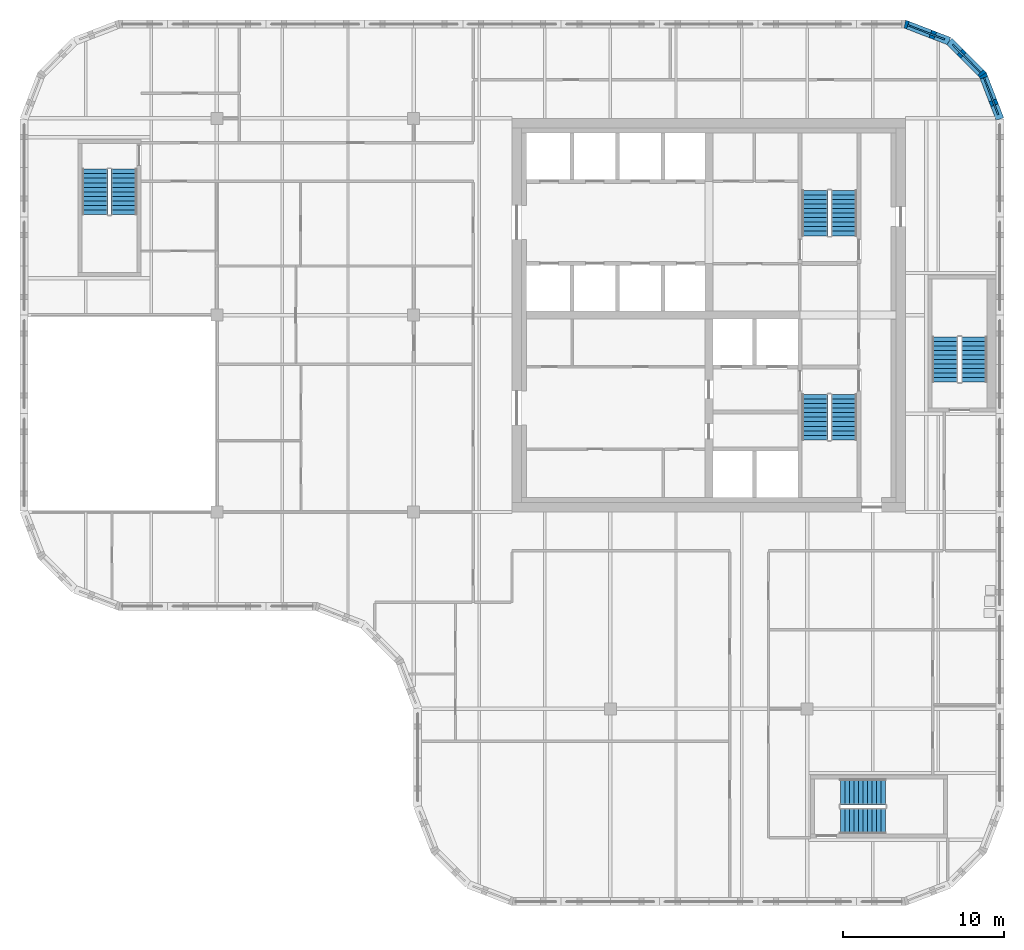
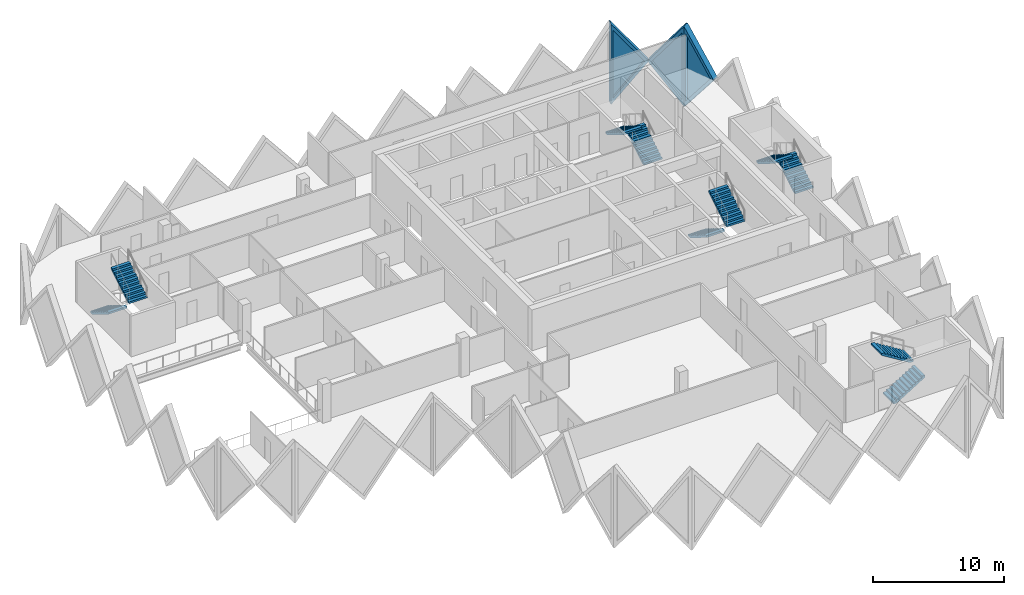
# One storey, part 10 of 12: 10 stair flights, 3 plates, 3 walls, 3 openings, 5 elements without a shape of their own.
"""IFC4 building model written with IfcOpenShell, lengths in metres."""

from ifc_helpers import new_model, si_unit, direction, frame, origin, place, context, subcontext, project, spatial, polyline, outline, extrude, faceted_brep, source, transform, mapped, material, layer, layer_set, type_object, element, fill, aggregate, save


model = new_model("IFC4")

# Units and contexts
model_context = context("Model", 3, precision=1e-05, world=origin(), true_north=direction((0.0, 1.0)))
body_context = subcontext(model_context, "Body", "Model", "MODEL_VIEW")
ifc_project = project(units=[si_unit("LENGTHUNIT", "METRE"), si_unit("AREAUNIT", "SQUARE_METRE"), si_unit("VOLUMEUNIT", "CUBIC_METRE"), si_unit("PLANEANGLEUNIT", "RADIAN"), si_unit("MASSUNIT", "GRAM", prefix="KILO")], contexts=[model_context])

# Site, building, storey
site_placement = place(None, origin())
site = spatial("IfcSite", under=ifc_project, at=site_placement, CompositionType="ELEMENT")
building_placement = place(site_placement, origin())
building = spatial("IfcBuilding", under=site, at=building_placement, Name="Tessera Gate Towers", CompositionType="ELEMENT")
storey_placement = place(building_placement, frame((0.0, 0.0, 178.199951171875)))
storey = spatial("IfcBuildingStorey", under=building, at=storey_placement, Name="L44", CompositionType="ELEMENT", Elevation=178.199951171875)

# Wall, opening, plate
ifc_material_1 = material(Name="Precast concrete C60/75 white", Category="concrete")
ifc_layer_1 = layer(ifc_material_1, 0.5)
ifc_layer_set_1 = layer_set([ifc_layer_1], Name="TS3 corner tessera")
wall_type = type_object("IfcWallType", Name="TS3 corner tessera", PredefinedType="SOLIDWALL", material=ifc_layer_set_1)
shared_shape_1 = source(origin(), body_context, "Body", "Brep", [
    faceted_brep([(2.950439453125, -0.25, 0.0), (2.9970703125, -0.25, 0.05908203125), (2.9970703125, -0.25, 7.541015625), (2.950439453125, -0.25, 7.60009765625), (0.0, -0.25, 3.800048828125), (0.052978515625, 0.25, 3.8681640625), (2.904052734375, 0.25, 7.540283203125), (2.904052734375, 0.25, 0.059814453125), (0.052978515625, 0.25, 3.73193359375), (2.950439453125, 0.00048828125, 0.0), (2.950439453125, 0.00048828125, 7.60009765625), (0.0, 0.0, 3.800048828125)], [[[0, 1, 2, 3, 4]], [[5, 6, 7, 8]], [[1, 0, 9]], [[10, 3, 2]], [[6, 5, 11, 4, 3, 10]], [[8, 7, 9, 0, 4, 11]], [[8, 11, 5]], [[1, 9, 7, 6, 10, 2]]]),
])
wall_1_placement = place(storey_placement, frame((57.606201171875, 53.588134765625, -3.800048828125), z_axis=(0.0, 0.0, 1.0), x_axis=(-0.932990326376, 0.359901446078, 0.0)))
wall_1 = element("IfcWall", 1, at=wall_1_placement, inside=storey, type_object=wall_type, Name="Precast corner tessera T1 TS3-1017", PredefinedType="SOLIDWALL", context=body_context, shape_type="MappedRepresentation", body=[
    mapped(shared_shape_1, transform((0.0, 0.0, 0.0), scale=1.0)),
])
shared_shape_2 = source(origin(), body_context, "Body", "SweptSolid", [
    extrude(outline(polyline([(2.75048828125, 6.934814453125), (0.31640625, 3.800048828125), (2.75048828125, 0.665283203125), (2.75048828125, 6.934814453125)])), frame((0.0, 0.260009765625, 0.0), z_axis=(0.0, -1.0, 0.0), x_axis=(1.0, 0.0, 0.0)), (0.0, 0.0, 1.0), 0.52001953125),
])
opening_1_placement = place(wall_1_placement, origin())
opening_1 = element("IfcOpeningElement", 2, at=opening_1_placement, cuts=wall_1, Name="Opening T1-PL2-1569", PredefinedType="OPENING", context=body_context, shape_type="MappedRepresentation", body=[
    mapped(shared_shape_2, transform((0.0, 0.0, 0.0), scale=1.0)),
])
ifc_material_2 = material(Name="Low-e laminated glass", Category="glass")
ifc_layer_2 = layer(ifc_material_2, 0.06005859375)
ifc_layer_set_2 = layer_set([ifc_layer_2], Name="PL2 rhombic pane")
plate_type = type_object("IfcPlateType", Name="PL2 rhombic pane", PredefinedType="SHEET", material=ifc_layer_set_2)
shared_shape_3 = source(origin(), body_context, "Body", "SweptSolid", [
    extrude(outline(polyline([(2.75048828125, 6.934814453125), (0.31640625, 3.800048828125), (2.75048828125, 0.665283203125), (2.75048828125, 6.934814453125)])), frame((0.0, 0.030029296875, 0.0), z_axis=(0.0, -1.0, 0.0), x_axis=(1.0, 0.0, 0.0)), (0.0, 0.0, 1.0), 0.06005859375),
])
plate_1_placement = place(opening_1_placement, origin())
plate_1 = element("IfcPlate", 3, at=plate_1_placement, inside=storey, type_object=plate_type, Name="Glass pane T1 PL2-1569", PredefinedType="SHEET", context=body_context, shape_type="MappedRepresentation", body=[
    mapped(shared_shape_3, transform((0.0, 0.0, 0.0), scale=1.0)),
])
fill(opening_1, plate_1)

shared_shape_4 = source(origin(), body_context, "Body", "Brep", [
    faceted_brep([(2.950439453125, -0.25, 0.0), (3.00341796875, -0.25, 0.068359375), (3.00341796875, -0.25, 7.53173828125), (2.950439453125, -0.25, 7.60009765625), (0.0, -0.25, 3.800048828125), (0.046630859375, 0.25, 3.860107421875), (2.897705078125, 0.25, 7.531982421875), (2.897705078125, 0.25, 0.068115234375), (0.046630859375, 0.25, 3.739990234375), (2.950439453125, 0.00048828125, 0.0), (2.950439453125, 0.00048828125, 7.60009765625), (0.0, 0.0, 3.800048828125)], [[[0, 1, 2, 3, 4]], [[5, 6, 7, 8]], [[1, 0, 9]], [[10, 3, 2]], [[6, 5, 11, 4, 3, 10]], [[8, 7, 9, 0, 4, 11]], [[8, 11, 5]], [[1, 9, 7, 6, 10, 2]]]),
])
wall_2_placement = place(storey_placement, frame((60.75, 48.75341796875, -3.800048828125), z_axis=(0.0, 0.0, 1.0), x_axis=(-0.35992665181, 0.932980602862, 0.0)))
wall_2 = element("IfcWall", 4, at=wall_2_placement, inside=storey, type_object=wall_type, Name="Precast corner tessera T1 TS3-1015", PredefinedType="SOLIDWALL", context=body_context, shape_type="MappedRepresentation", body=[
    mapped(shared_shape_4, transform((0.0, 0.0, 0.0), scale=1.0)),
])
opening_2_placement = place(wall_2_placement, origin())
opening_2 = element("IfcOpeningElement", 5, at=opening_2_placement, cuts=wall_2, Name="Opening T1-PL2-1567", PredefinedType="OPENING", context=body_context, shape_type="MappedRepresentation", body=[
    mapped(shared_shape_2, transform((0.0, 0.0, 0.0), scale=1.0)),
])
plate_2_placement = place(opening_2_placement, origin())
plate_2 = element("IfcPlate", 6, at=plate_2_placement, inside=storey, type_object=plate_type, Name="Glass pane T1 PL2-1567", PredefinedType="SHEET", context=body_context, shape_type="MappedRepresentation", body=[
    mapped(shared_shape_3, transform((0.0, 0.0, 0.0), scale=1.0)),
])
fill(opening_2, plate_2)

shared_shape_5 = source(origin(), body_context, "Body", "Brep", [
    faceted_brep([(0.052978515625, -0.25, 0.0), (2.9970703125, -0.25, 3.800048828125), (0.052978515625, -0.25, 7.60009765625), (0.0, -0.25, 7.531982421875), (0.0, -0.25, 0.068115234375), (0.10595703125, 0.25, 7.53173828125), (2.944091796875, 0.25, 3.8681640625), (2.944091796875, 0.25, 3.73193359375), (0.10595703125, 0.25, 0.068359375), (2.9970703125, 0.000244140625, 3.800048828125), (0.052978515625, 0.0, 0.0), (0.052978515625, 0.0, 7.60009765625)], [[[0, 1, 2, 3, 4]], [[5, 6, 7, 8]], [[8, 7, 9, 1, 0, 10]], [[6, 5, 11, 2, 1, 9]], [[3, 2, 11]], [[10, 0, 4]], [[8, 10, 4, 3, 11, 5]], [[9, 7, 6]]]),
])
wall_3_placement = place(storey_placement, frame((59.7255859375, 51.46875, -3.800048828125), z_axis=(0.0, 0.0, 1.0), x_axis=(-0.707106781187, 0.707106781187, 0.0)))
wall_3 = element("IfcWall", 7, at=wall_3_placement, inside=storey, type_object=wall_type, Name="Precast corner tessera T1 TS3-1016", PredefinedType="SOLIDWALL", context=body_context, shape_type="MappedRepresentation", body=[
    mapped(shared_shape_5, transform((0.0, 0.0, 0.0), scale=1.0)),
])
shared_shape_6 = source(origin(), body_context, "Body", "SweptSolid", [
    extrude(outline(polyline([(0.2529296875, 0.66650390625), (2.680908203125, 3.800048828125), (0.2529296875, 6.933837890625), (0.2529296875, 0.66650390625)])), frame((0.0, 0.260009765625, 0.0), z_axis=(0.0, -1.0, 0.0), x_axis=(1.0, 0.0, 0.0)), (0.0, 0.0, 1.0), 0.52001953125),
])
opening_3_placement = place(wall_3_placement, origin())
opening_3 = element("IfcOpeningElement", 8, at=opening_3_placement, cuts=wall_3, Name="Opening T1-PL2-1568", PredefinedType="OPENING", context=body_context, shape_type="MappedRepresentation", body=[
    mapped(shared_shape_6, transform((0.0, 0.0, 0.0), scale=1.0)),
])
shared_shape_7 = source(origin(), body_context, "Body", "SweptSolid", [
    extrude(outline(polyline([(0.2529296875, 0.66650390625), (2.680908203125, 3.800048828125), (0.2529296875, 6.933837890625), (0.2529296875, 0.66650390625)])), frame((0.0, 0.030029296875, 0.0), z_axis=(0.0, -1.0, 0.0), x_axis=(1.0, 0.0, 0.0)), (0.0, 0.0, 1.0), 0.06005859375),
])
plate_3_placement = place(opening_3_placement, origin())
plate_3 = element("IfcPlate", 9, at=plate_3_placement, inside=storey, type_object=plate_type, Name="Glass pane T1 PL2-1568", PredefinedType="SHEET", context=body_context, shape_type="MappedRepresentation", body=[
    mapped(shared_shape_7, transform((0.0, 0.0, 0.0), scale=1.0)),
])
fill(opening_3, plate_3)

# Stair, stair flights
ifc_material_3 = material(Name="Concrete C40/50", Category="concrete")
stair_type_1 = type_object("IfcStairType", Name="EXIT STAIR ST1 1600", PredefinedType="HALF_TURN_STAIR", material=ifc_material_3)
stair_1_placement = place(storey_placement, origin())
stair_1 = element("IfcStair", 10, at=stair_1_placement, inside=storey, type_object=stair_type_1, Name="L44 Protected Exit Stair ST1", PredefinedType="HALF_TURN_STAIR")
ifc_material_4 = material(Name="Concrete C40/50", Category="concrete")
stair_flight_type_1 = type_object("IfcStairFlightType", Name="EXIT STAIR FLIGHT ST1 1600", PredefinedType="STRAIGHT", material=ifc_material_4)
stair_flight_1_placement = place(storey_placement, frame((49.27490234375, 31.675048828125, 0.0), z_axis=(0.0, 0.0, 1.0), x_axis=(0.0, -1.0, 0.0)))
stair_flight_1 = element("IfcStairFlight", 11, at=stair_flight_1_placement, type_object=stair_flight_type_1, Name="ST1 flight 1", NumberOfRisers=11, NumberOfTreads=10, PredefinedType="STRAIGHT", RiserHeight=0.172727273, TreadLength=0.28, context=body_context, shape_type="SweptSolid", body=[
    extrude(outline(polyline([(0.0, 0.0), (0.0, 0.172607421875), (0.280029296875, 0.172607421875), (0.280029296875, 0.345458984375), (0.56005859375, 0.345458984375), (0.56005859375, 0.51806640625), (0.840087890625, 0.51806640625), (0.840087890625, 0.69091796875), (1.1201171875, 0.69091796875), (1.1201171875, 0.863525390625), (1.39990234375, 0.863525390625), (1.39990234375, 1.036376953125), (1.679931640625, 1.036376953125), (1.679931640625, 1.208984375), (1.9599609375, 1.208984375), (1.9599609375, 1.3818359375), (2.239990234375, 1.3818359375), (2.239990234375, 1.554443359375), (2.52001953125, 1.554443359375), (2.52001953125, 1.727294921875), (2.800048828125, 1.727294921875), (2.800048828125, 1.89990234375), (2.800048828125, 1.551025390625), (0.285400390625, 0.0), (0.0, 0.0)])), frame((0.0, 0.800048828125, 0.0), z_axis=(0.0, -1.0, 0.0), x_axis=(1.0, 0.0, 0.0)), (0.0, 0.0, 1.0), 1.60009765625),
])
stair_flight_2_placement = place(storey_placement, frame((51.074951171875, 28.875, 1.900146484375), z_axis=(0.0, 0.0, 1.0), x_axis=(0.0, 1.0, 0.0)))
stair_flight_2 = element("IfcStairFlight", 12, at=stair_flight_2_placement, type_object=stair_flight_type_1, Name="ST1 flight 2", NumberOfRisers=11, NumberOfTreads=10, PredefinedType="STRAIGHT", RiserHeight=0.172727273, TreadLength=0.28, context=body_context, shape_type="SweptSolid", body=[
    extrude(outline(polyline([(0.0, 0.0), (0.0, 0.172607421875), (0.280029296875, 0.172607421875), (0.280029296875, 0.345458984375), (0.56005859375, 0.345458984375), (0.56005859375, 0.51806640625), (0.840087890625, 0.51806640625), (0.840087890625, 0.69091796875), (1.1201171875, 0.69091796875), (1.1201171875, 0.863525390625), (1.39990234375, 0.863525390625), (1.39990234375, 1.036376953125), (1.679931640625, 1.036376953125), (1.679931640625, 1.208984375), (1.9599609375, 1.208984375), (1.9599609375, 1.3818359375), (2.239990234375, 1.3818359375), (2.239990234375, 1.554443359375), (2.52001953125, 1.554443359375), (2.52001953125, 1.727294921875), (2.800048828125, 1.727294921875), (2.800048828125, 1.89990234375), (2.800048828125, 1.551025390625), (0.285400390625, 0.0), (0.0, 0.0)])), frame((0.0, 0.800048828125, 0.0), z_axis=(0.0, -1.0, 0.0), x_axis=(1.0, 0.0, 0.0)), (0.0, 0.0, 1.0), 1.60009765625),
])
aggregate(stair_1, [stair_flight_1, stair_flight_2])

ifc_material_5 = material(Name="Concrete C40/50", Category="concrete")
stair_type_2 = type_object("IfcStairType", Name="EXIT STAIR ST2 1600", PredefinedType="HALF_TURN_STAIR", material=ifc_material_5)
stair_2_placement = place(storey_placement, origin())
stair_2 = element("IfcStair", 13, at=stair_2_placement, inside=storey, type_object=stair_type_2, Name="L44 Protected Exit Stair ST2", PredefinedType="HALF_TURN_STAIR")
ifc_material_6 = material(Name="Concrete C40/50", Category="concrete")
stair_flight_type_2 = type_object("IfcStairFlightType", Name="EXIT STAIR FLIGHT ST2 1600", PredefinedType="STRAIGHT", material=ifc_material_6)
stair_flight_3_placement = place(storey_placement, frame((51.074951171875, 41.52490234375, 0.0), z_axis=(0.0, 0.0, 1.0), x_axis=(0.0, 1.0, 0.0)))
stair_flight_3 = element("IfcStairFlight", 14, at=stair_flight_3_placement, type_object=stair_flight_type_2, Name="ST2 flight 1", NumberOfRisers=11, NumberOfTreads=10, PredefinedType="STRAIGHT", RiserHeight=0.172727273, TreadLength=0.28, context=body_context, shape_type="SweptSolid", body=[
    extrude(outline(polyline([(0.0, 0.0), (0.0, 0.172607421875), (0.280029296875, 0.172607421875), (0.280029296875, 0.345458984375), (0.56005859375, 0.345458984375), (0.56005859375, 0.51806640625), (0.840087890625, 0.51806640625), (0.840087890625, 0.69091796875), (1.1201171875, 0.69091796875), (1.1201171875, 0.863525390625), (1.39990234375, 0.863525390625), (1.39990234375, 1.036376953125), (1.679931640625, 1.036376953125), (1.679931640625, 1.208984375), (1.9599609375, 1.208984375), (1.9599609375, 1.3818359375), (2.239990234375, 1.3818359375), (2.239990234375, 1.554443359375), (2.52001953125, 1.554443359375), (2.52001953125, 1.727294921875), (2.800048828125, 1.727294921875), (2.800048828125, 1.89990234375), (2.800048828125, 1.551025390625), (0.285400390625, 0.0), (0.0, 0.0)])), frame((0.0, 0.800048828125, 0.0), z_axis=(0.0, -1.0, 0.0), x_axis=(1.0, 0.0, 0.0)), (0.0, 0.0, 1.0), 1.60009765625),
])
stair_flight_4_placement = place(storey_placement, frame((49.27490234375, 44.324951171875, 1.900146484375), z_axis=(0.0, 0.0, 1.0), x_axis=(0.0, -1.0, 0.0)))
stair_flight_4 = element("IfcStairFlight", 15, at=stair_flight_4_placement, type_object=stair_flight_type_2, Name="ST2 flight 2", NumberOfRisers=11, NumberOfTreads=10, PredefinedType="STRAIGHT", RiserHeight=0.172727273, TreadLength=0.28, context=body_context, shape_type="SweptSolid", body=[
    extrude(outline(polyline([(0.0, 0.0), (0.0, 0.172607421875), (0.280029296875, 0.172607421875), (0.280029296875, 0.345458984375), (0.56005859375, 0.345458984375), (0.56005859375, 0.51806640625), (0.840087890625, 0.51806640625), (0.840087890625, 0.69091796875), (1.1201171875, 0.69091796875), (1.1201171875, 0.863525390625), (1.39990234375, 0.863525390625), (1.39990234375, 1.036376953125), (1.679931640625, 1.036376953125), (1.679931640625, 1.208984375), (1.9599609375, 1.208984375), (1.9599609375, 1.3818359375), (2.239990234375, 1.3818359375), (2.239990234375, 1.554443359375), (2.52001953125, 1.554443359375), (2.52001953125, 1.727294921875), (2.800048828125, 1.727294921875), (2.800048828125, 1.89990234375), (2.800048828125, 1.551025390625), (0.285400390625, 0.0), (0.0, 0.0)])), frame((0.0, 0.800048828125, 0.0), z_axis=(0.0, -1.0, 0.0), x_axis=(1.0, 0.0, 0.0)), (0.0, 0.0, 1.0), 1.60009765625),
])
aggregate(stair_2, [stair_flight_3, stair_flight_4])

ifc_material_7 = material(Name="Concrete C40/50", Category="concrete")
stair_type_3 = type_object("IfcStairType", Name="EXIT STAIR ST3 1600", PredefinedType="HALF_TURN_STAIR", material=ifc_material_7)
stair_3_placement = place(storey_placement, origin())
stair_3 = element("IfcStair", 16, at=stair_3_placement, inside=storey, type_object=stair_type_3, Name="L44 West Exit Stair ST3", PredefinedType="HALF_TURN_STAIR")
ifc_material_8 = material(Name="Concrete C40/50", Category="concrete")
stair_flight_type_3 = type_object("IfcStairFlightType", Name="EXIT STAIR FLIGHT ST3 1600", PredefinedType="STRAIGHT", material=ifc_material_8)
stair_flight_5_placement = place(storey_placement, frame((4.64990234375, 45.64990234375, 0.0), z_axis=(0.0, 0.0, 1.0), x_axis=(0.0, -1.0, 0.0)))
stair_flight_5 = element("IfcStairFlight", 17, at=stair_flight_5_placement, type_object=stair_flight_type_3, Name="ST3 flight 1", NumberOfRisers=11, NumberOfTreads=10, PredefinedType="STRAIGHT", RiserHeight=0.172727273, TreadLength=0.28, context=body_context, shape_type="SweptSolid", body=[
    extrude(outline(polyline([(0.0, 0.0), (0.0, 0.172607421875), (0.280029296875, 0.172607421875), (0.280029296875, 0.345458984375), (0.56005859375, 0.345458984375), (0.56005859375, 0.51806640625), (0.840087890625, 0.51806640625), (0.840087890625, 0.69091796875), (1.1201171875, 0.69091796875), (1.1201171875, 0.863525390625), (1.39990234375, 0.863525390625), (1.39990234375, 1.036376953125), (1.679931640625, 1.036376953125), (1.679931640625, 1.208984375), (1.9599609375, 1.208984375), (1.9599609375, 1.3818359375), (2.239990234375, 1.3818359375), (2.239990234375, 1.554443359375), (2.52001953125, 1.554443359375), (2.52001953125, 1.727294921875), (2.800048828125, 1.727294921875), (2.800048828125, 1.89990234375), (2.800048828125, 1.551025390625), (0.285400390625, 0.0), (0.0, 0.0)])), frame((0.0, 0.800048828125, 0.0), z_axis=(0.0, -1.0, 0.0), x_axis=(1.0, 0.0, 0.0)), (0.0, 0.0, 1.0), 1.60009765625),
])
stair_flight_6_placement = place(storey_placement, frame((6.449951171875, 42.85009765625, 1.900146484375), z_axis=(0.0, 0.0, 1.0), x_axis=(0.0, 1.0, 0.0)))
stair_flight_6 = element("IfcStairFlight", 18, at=stair_flight_6_placement, type_object=stair_flight_type_3, Name="ST3 flight 2", NumberOfRisers=11, NumberOfTreads=10, PredefinedType="STRAIGHT", RiserHeight=0.172727273, TreadLength=0.28, context=body_context, shape_type="SweptSolid", body=[
    extrude(outline(polyline([(0.0, 0.0), (0.0, 0.172607421875), (0.280029296875, 0.172607421875), (0.280029296875, 0.345458984375), (0.56005859375, 0.345458984375), (0.56005859375, 0.51806640625), (0.840087890625, 0.51806640625), (0.840087890625, 0.69091796875), (1.1201171875, 0.69091796875), (1.1201171875, 0.863525390625), (1.39990234375, 0.863525390625), (1.39990234375, 1.036376953125), (1.679931640625, 1.036376953125), (1.679931640625, 1.208984375), (1.9599609375, 1.208984375), (1.9599609375, 1.3818359375), (2.239990234375, 1.3818359375), (2.239990234375, 1.554443359375), (2.52001953125, 1.554443359375), (2.52001953125, 1.727294921875), (2.800048828125, 1.727294921875), (2.800048828125, 1.89990234375), (2.800048828125, 1.551025390625), (0.285400390625, 0.0), (0.0, 0.0)])), frame((0.0, 0.800048828125, 0.0), z_axis=(0.0, -1.0, 0.0), x_axis=(1.0, 0.0, 0.0)), (0.0, 0.0, 1.0), 1.60009765625),
])
aggregate(stair_3, [stair_flight_5, stair_flight_6])

ifc_material_9 = material(Name="Concrete C40/50", Category="concrete")
stair_type_4 = type_object("IfcStairType", Name="EXIT STAIR ST4 1600", PredefinedType="HALF_TURN_STAIR", material=ifc_material_9)
stair_4_placement = place(storey_placement, origin())
stair_4 = element("IfcStair", 19, at=stair_4_placement, inside=storey, type_object=stair_type_4, Name="L44 South Exit Stair ST4", PredefinedType="HALF_TURN_STAIR")
ifc_material_10 = material(Name="Concrete C40/50", Category="concrete")
stair_flight_type_4 = type_object("IfcStairFlightType", Name="EXIT STAIR FLIGHT ST4 1600", PredefinedType="STRAIGHT", material=ifc_material_10)
stair_flight_7_placement = place(storey_placement, frame((50.85009765625, 5.25, 0.0), z_axis=(0.0, 0.0, 1.0), x_axis=(1.0, 0.0, 0.0)))
stair_flight_7 = element("IfcStairFlight", 20, at=stair_flight_7_placement, type_object=stair_flight_type_4, Name="ST4 flight 1", NumberOfRisers=11, NumberOfTreads=10, PredefinedType="STRAIGHT", RiserHeight=0.172727273, TreadLength=0.28, context=body_context, shape_type="SweptSolid", body=[
    extrude(outline(polyline([(0.0, 0.0), (0.0, 0.172607421875), (0.280029296875, 0.172607421875), (0.280029296875, 0.345458984375), (0.56005859375, 0.345458984375), (0.56005859375, 0.51806640625), (0.840087890625, 0.51806640625), (0.840087890625, 0.69091796875), (1.1201171875, 0.69091796875), (1.1201171875, 0.863525390625), (1.39990234375, 0.863525390625), (1.39990234375, 1.036376953125), (1.679931640625, 1.036376953125), (1.679931640625, 1.208984375), (1.9599609375, 1.208984375), (1.9599609375, 1.3818359375), (2.239990234375, 1.3818359375), (2.239990234375, 1.554443359375), (2.52001953125, 1.554443359375), (2.52001953125, 1.727294921875), (2.800048828125, 1.727294921875), (2.800048828125, 1.89990234375), (2.800048828125, 1.551025390625), (0.285400390625, 0.0), (0.0, 0.0)])), frame((0.0, 0.800048828125, 0.0), z_axis=(0.0, -1.0, 0.0), x_axis=(1.0, 0.0, 0.0)), (0.0, 0.0, 1.0), 1.60009765625),
])
stair_flight_8_placement = place(storey_placement, frame((53.64990234375, 7.050048828125, 1.900146484375), z_axis=(0.0, 0.0, 1.0), x_axis=(-1.0, 0.0, 0.0)))
stair_flight_8 = element("IfcStairFlight", 21, at=stair_flight_8_placement, type_object=stair_flight_type_4, Name="ST4 flight 2", NumberOfRisers=11, NumberOfTreads=10, PredefinedType="STRAIGHT", RiserHeight=0.172727273, TreadLength=0.28, context=body_context, shape_type="SweptSolid", body=[
    extrude(outline(polyline([(0.0, 0.0), (0.0, 0.172607421875), (0.280029296875, 0.172607421875), (0.280029296875, 0.345458984375), (0.56005859375, 0.345458984375), (0.56005859375, 0.51806640625), (0.840087890625, 0.51806640625), (0.840087890625, 0.69091796875), (1.1201171875, 0.69091796875), (1.1201171875, 0.863525390625), (1.39990234375, 0.863525390625), (1.39990234375, 1.036376953125), (1.679931640625, 1.036376953125), (1.679931640625, 1.208984375), (1.9599609375, 1.208984375), (1.9599609375, 1.3818359375), (2.239990234375, 1.3818359375), (2.239990234375, 1.554443359375), (2.52001953125, 1.554443359375), (2.52001953125, 1.727294921875), (2.800048828125, 1.727294921875), (2.800048828125, 1.89990234375), (2.800048828125, 1.551025390625), (0.285400390625, 0.0), (0.0, 0.0)])), frame((0.0, 0.800048828125, 0.0), z_axis=(0.0, -1.0, 0.0), x_axis=(1.0, 0.0, 0.0)), (0.0, 0.0, 1.0), 1.60009765625),
])
aggregate(stair_4, [stair_flight_7, stair_flight_8])

ifc_material_11 = material(Name="Concrete C40/50", Category="concrete")
stair_type_5 = type_object("IfcStairType", Name="EXIT STAIR ST5 1600", PredefinedType="HALF_TURN_STAIR", material=ifc_material_11)
stair_5_placement = place(storey_placement, origin())
stair_5 = element("IfcStair", 22, at=stair_5_placement, inside=storey, type_object=stair_type_5, Name="L44 East Exit Stair ST5", PredefinedType="HALF_TURN_STAIR")
ifc_material_12 = material(Name="Concrete C40/50", Category="concrete")
stair_flight_type_5 = type_object("IfcStairFlightType", Name="EXIT STAIR FLIGHT ST5 1600", PredefinedType="STRAIGHT", material=ifc_material_12)
stair_flight_9_placement = place(storey_placement, frame((59.14990234375, 32.449951171875, 0.0), z_axis=(0.0, 0.0, 1.0), x_axis=(0.0, 1.0, 0.0)))
stair_flight_9 = element("IfcStairFlight", 23, at=stair_flight_9_placement, type_object=stair_flight_type_5, Name="ST5 flight 1", NumberOfRisers=11, NumberOfTreads=10, PredefinedType="STRAIGHT", RiserHeight=0.172727273, TreadLength=0.28, context=body_context, shape_type="SweptSolid", body=[
    extrude(outline(polyline([(0.0, 0.0), (0.0, 0.172607421875), (0.280029296875, 0.172607421875), (0.280029296875, 0.345458984375), (0.56005859375, 0.345458984375), (0.56005859375, 0.51806640625), (0.840087890625, 0.51806640625), (0.840087890625, 0.69091796875), (1.1201171875, 0.69091796875), (1.1201171875, 0.863525390625), (1.39990234375, 0.863525390625), (1.39990234375, 1.036376953125), (1.679931640625, 1.036376953125), (1.679931640625, 1.208984375), (1.9599609375, 1.208984375), (1.9599609375, 1.3818359375), (2.239990234375, 1.3818359375), (2.239990234375, 1.554443359375), (2.52001953125, 1.554443359375), (2.52001953125, 1.727294921875), (2.800048828125, 1.727294921875), (2.800048828125, 1.89990234375), (2.800048828125, 1.551025390625), (0.285400390625, 0.0), (0.0, 0.0)])), frame((0.0, 0.800048828125, 0.0), z_axis=(0.0, -1.0, 0.0), x_axis=(1.0, 0.0, 0.0)), (0.0, 0.0, 1.0), 1.60009765625),
])
stair_flight_10_placement = place(storey_placement, frame((57.35009765625, 35.25, 1.900146484375), z_axis=(0.0, 0.0, 1.0), x_axis=(0.0, -1.0, 0.0)))
stair_flight_10 = element("IfcStairFlight", 24, at=stair_flight_10_placement, type_object=stair_flight_type_5, Name="ST5 flight 2", NumberOfRisers=11, NumberOfTreads=10, PredefinedType="STRAIGHT", RiserHeight=0.172727273, TreadLength=0.28, context=body_context, shape_type="SweptSolid", body=[
    extrude(outline(polyline([(0.0, 0.0), (0.0, 0.172607421875), (0.280029296875, 0.172607421875), (0.280029296875, 0.345458984375), (0.56005859375, 0.345458984375), (0.56005859375, 0.51806640625), (0.840087890625, 0.51806640625), (0.840087890625, 0.69091796875), (1.1201171875, 0.69091796875), (1.1201171875, 0.863525390625), (1.39990234375, 0.863525390625), (1.39990234375, 1.036376953125), (1.679931640625, 1.036376953125), (1.679931640625, 1.208984375), (1.9599609375, 1.208984375), (1.9599609375, 1.3818359375), (2.239990234375, 1.3818359375), (2.239990234375, 1.554443359375), (2.52001953125, 1.554443359375), (2.52001953125, 1.727294921875), (2.800048828125, 1.727294921875), (2.800048828125, 1.89990234375), (2.800048828125, 1.551025390625), (0.285400390625, 0.0), (0.0, 0.0)])), frame((0.0, 0.800048828125, 0.0), z_axis=(0.0, -1.0, 0.0), x_axis=(1.0, 0.0, 0.0)), (0.0, 0.0, 1.0), 1.60009765625),
])
aggregate(stair_5, [stair_flight_9, stair_flight_10])

save(model, "model.ifc")
